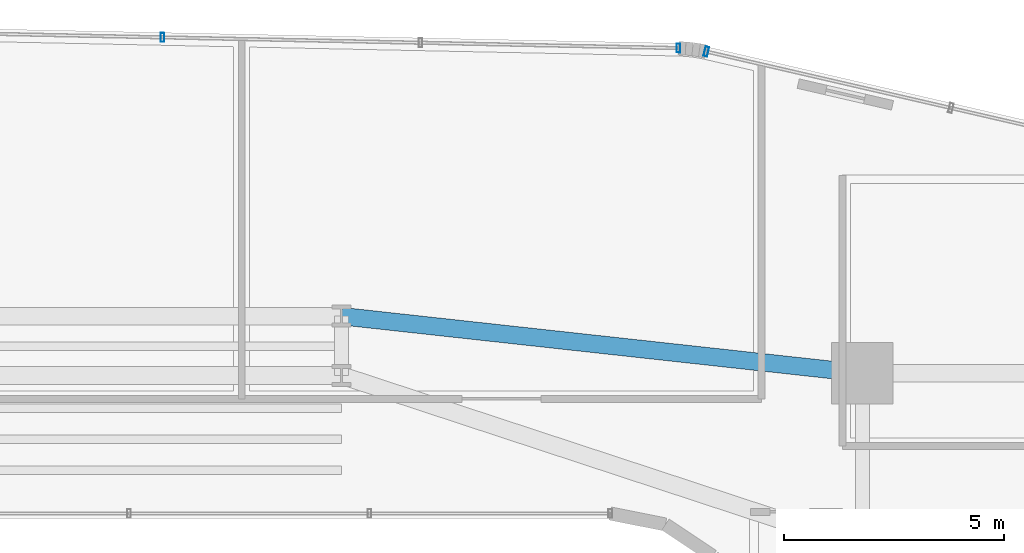
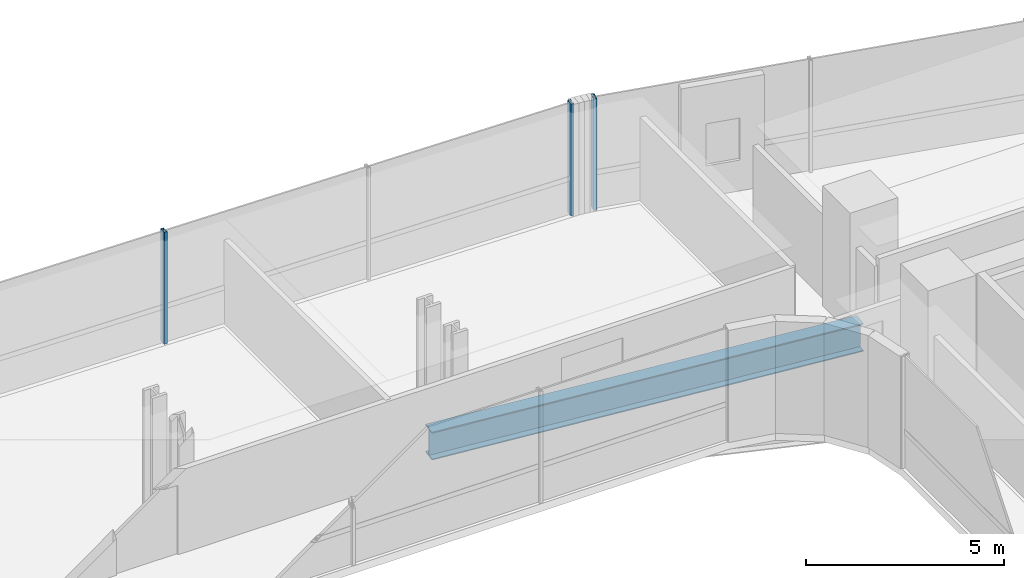
# One storey, part 23 of 40: 3 members, 1 beam, 2 elements without a shape of their own.
"""IFC4 building model written with IfcOpenShell, lengths in metres."""

from ifc_helpers import new_model, si_unit, direction, frame, origin, origin_2d, place, context, subcontext, project, spatial, hollow_rectangle, i_section, extrude, source, transform, mapped, material, material_profile, profile_set, type_object, element, aggregate, save


model = new_model("IFC4")

# Units and contexts
model_context = context("Model", 3, precision=1e-05, world=origin(), true_north=direction((0.0, 1.0)))
body_context = subcontext(model_context, "Body", "Model", "MODEL_VIEW")
ifc_project = project(units=[si_unit("LENGTHUNIT", "METRE"), si_unit("AREAUNIT", "SQUARE_METRE"), si_unit("VOLUMEUNIT", "CUBIC_METRE"), si_unit("PLANEANGLEUNIT", "RADIAN"), si_unit("MASSUNIT", "GRAM", prefix="KILO")], contexts=[model_context])

# Site, building, storey
site_placement = place(None, origin())
site = spatial("IfcSite", under=ifc_project, at=site_placement, CompositionType="ELEMENT")
building_placement = place(site_placement, origin())
building = spatial("IfcBuilding", under=site, at=building_placement, Name="Valdorenza Pilgrim Sanctuary Tower", CompositionType="ELEMENT")
storey_placement = place(building_placement, frame((0.0, 0.0, 51.89990234375)))
storey = spatial("IfcBuildingStorey", under=building, at=storey_placement, Name="L12", CompositionType="ELEMENT", Elevation=51.89990234375)

# Beam
ifc_material_1 = material(Name="Steel ASTM A992 Grade 50", Category="steel")
ifc_material_profile_1 = material_profile(ifc_material_1, i_section(OverallWidth=0.39990234375, OverallDepth=0.862060546875, WebThickness=0.019775390625, FlangeThickness=0.032470703125, at=origin_2d()), Name="W33X221")
ifc_profile_set_1 = profile_set([ifc_material_profile_1], Name="Steel ASTM A992 Grade 50")
beam_type = type_object("IfcBeamType", Name="STR-BM-GRD-W33", PredefinedType="BEAM", material=ifc_profile_set_1)
shared_shape_1 = source(origin(), body_context, "Body", "SweptSolid", [
    extrude(i_section(OverallWidth=0.39990234375, OverallDepth=0.862060546875, WebThickness=0.019775390625, FlangeThickness=0.032470703125, at=origin_2d()), origin(), (0.0, 0.0, 1.0), 11.921142578125),
])
beam_placement = place(storey_placement, frame((4.0, 14.800048828125, -0.6708984375), z_axis=(0.994035876607, -0.10905354656, 0.0), x_axis=(0.10905354656, 0.994035876607, 0.0)))
element("IfcBeam", 1, at=beam_placement, inside=storey, type_object=beam_type, Name="L12 Floor Girder KNK-G6", PredefinedType="BEAM", context=body_context, shape_type="MappedRepresentation", body=[
    mapped(shared_shape_1, transform((0.0, 0.0, 0.0), x_axis=(1.0, 0.0, 0.0), y_axis=(0.0, 1.0, 0.0), z_axis=(0.0, 0.0, 1.0), scale=1.0)),
])

# Curtain wall, members
ifc_material_2 = material(Name="Curtain-wall IGU glazing", Category="glass")
curtain_wall_type_1 = type_object("IfcCurtainWallType", Name="CW-SYS-02", PredefinedType="NOTDEFINED", material=ifc_material_2)
curtain_wall_1_placement = place(storey_placement, origin())
curtain_wall_1 = element("IfcCurtainWall", 2, at=curtain_wall_1_placement, inside=storey, type_object=curtain_wall_type_1, Name="L12 Curtain Wall CW-L12-1-11", PredefinedType="NOTDEFINED")
ifc_material_3 = material(Name="Anodised aluminium AW-6060", Category="aluminium")
ifc_material_profile_2 = material_profile(ifc_material_3, hollow_rectangle(XDim=0.0849609375, YDim=0.199951171875, WallThickness=0.0048828125, at=origin_2d()), Name="ALU-M 200x85x5")
ifc_profile_set_2 = profile_set([ifc_material_profile_2], Name="Anodised aluminium AW-6060")
member_type_1 = type_object("IfcMemberType", Name="CW-MUL-02", PredefinedType="MULLION", material=ifc_profile_set_2)
shared_shape_2 = source(origin(), body_context, "Body", "SweptSolid", [
    extrude(hollow_rectangle(XDim=0.0849609375, YDim=0.199951171875, WallThickness=0.0048828125, at=origin_2d()), origin(), (0.0, 0.0, 1.0), 3.460205078125),
])
member_1_placement = place(storey_placement, frame((-0.0712890625, 21.1416015625, 0.0), z_axis=(0.0, 0.0, 1.0), x_axis=(0.999783234613, -0.020820273474, 0.0)))
member_1 = element("IfcMember", 3, at=member_1_placement, type_object=member_type_1, Name="CW-L12-1-11 Mullion 3", PredefinedType="MULLION", context=body_context, shape_type="MappedRepresentation", body=[
    mapped(shared_shape_2, transform((0.0, 0.0, 0.0), x_axis=(1.0, 0.0, 0.0), y_axis=(0.0, 1.0, 0.0), z_axis=(0.0, 0.0, 1.0), scale=1.0)),
])
member_2_placement = place(storey_placement, frame((11.665771484375, 20.89697265625, 0.0), z_axis=(0.0, 0.0, 1.0), x_axis=(0.999783234613, -0.020820273474, 0.0)))
member_2 = element("IfcMember", 4, at=member_2_placement, type_object=member_type_1, Name="CW-L12-1-11 Mullion 5", PredefinedType="MULLION", context=body_context, shape_type="MappedRepresentation", body=[
    mapped(shared_shape_2, transform((0.0, 0.0, 0.0), x_axis=(1.0, 0.0, 0.0), y_axis=(0.0, 1.0, 0.0), z_axis=(0.0, 0.0, 1.0), scale=1.0)),
])
aggregate(curtain_wall_1, [member_1, member_2])

# Curtain wall, member
curtain_wall_type_2 = type_object("IfcCurtainWallType", Name="CW-SYS-03", PredefinedType="NOTDEFINED", material=ifc_material_2)
curtain_wall_2_placement = place(storey_placement, origin())
curtain_wall_2 = element("IfcCurtainWall", 5, at=curtain_wall_2_placement, inside=storey, type_object=curtain_wall_type_2, Name="L12 Curtain Wall CW-L12-1-16", PredefinedType="NOTDEFINED")
ifc_material_profile_3 = material_profile(ifc_material_3, hollow_rectangle(XDim=0.0849609375, YDim=0.219970703125, WallThickness=0.0048828125, at=origin_2d()), Name="ALU-M 220x85x5")
ifc_profile_set_3 = profile_set([ifc_material_profile_3], Name="Anodised aluminium AW-6060")
member_type_2 = type_object("IfcMemberType", Name="CW-MUL-03", PredefinedType="MULLION", material=ifc_profile_set_3)
shared_shape_3 = source(origin(), body_context, "Body", "SweptSolid", [
    extrude(hollow_rectangle(XDim=0.0849609375, YDim=0.219970703125, WallThickness=0.0048828125, at=origin_2d()), origin(), (0.0, 0.0, 1.0), 3.460205078125),
])
member_3_placement = place(storey_placement, frame((12.299072265625, 20.818115234375, 0.0), z_axis=(0.0, 0.0, 1.0), x_axis=(0.974389691758, -0.224866023659, 0.0)))
member_3 = element("IfcMember", 6, at=member_3_placement, type_object=member_type_2, Name="CW-L12-1-16 Mullion 1", PredefinedType="MULLION", context=body_context, shape_type="MappedRepresentation", body=[
    mapped(shared_shape_3, transform((0.0, 0.0, 0.0), x_axis=(1.0, 0.0, 0.0), y_axis=(0.0, 1.0, 0.0), z_axis=(0.0, 0.0, 1.0), scale=1.0)),
])
aggregate(curtain_wall_2, [member_3])

save(model, "model.ifc")
